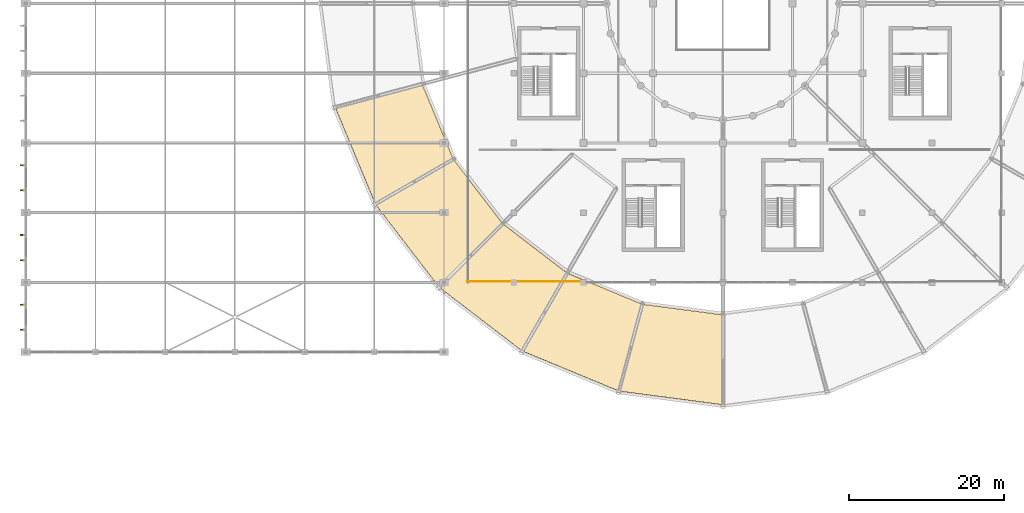
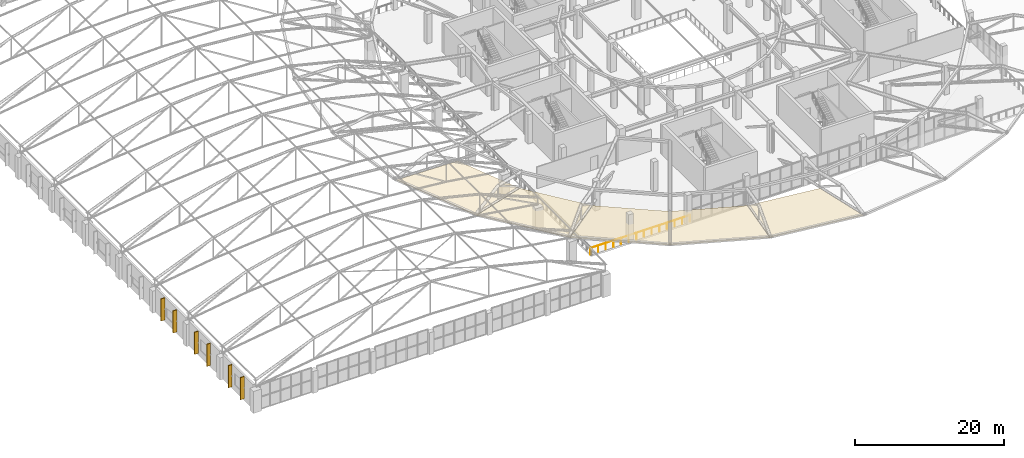
# One storey, part 151 of 167: 6 shading devices, 5 coverings, 1 railing.
"""IFC4 building model written with IfcOpenShell, lengths in metres."""

import ifcopenshell
import ifcopenshell.guid

model = None  # the IFC model being written
_history = None  # IfcOwnerHistory: only IFC2X3 demands one
_inside = {}  # id of a spatial element -> (the spatial element, [elements in it])
_under = {}  # id of a project, library or spatial element -> (it, [spatial elements below it])
_declared = {}  # id of a project -> (the project, [libraries it declares])
_typed = {}  # id of a type object -> (the type object, [elements of that type])
_made_of = {}  # id of a material, layer set ... -> (it, [elements and type objects made of it])


def new_model(schema):
    """Start an empty IFC model of exactly this schema.

    Asked for "IFC4X3", IfcOpenShell would pick the latest addendum, in which some entities
    have other attributes; the version numbers below select the first issue.
    IFC2X3 requires an IfcOwnerHistory on every rooted entity: one is made here for all.
    """
    global model, _history
    if schema == "IFC4X3":
        model = ifcopenshell.file(schema_version=(4, 3, 0, 0))
    else:
        model = ifcopenshell.file(schema=schema)
    _inside.clear()
    _under.clear()
    _declared.clear()
    _typed.clear()
    _made_of.clear()
    _history = None
    if model.schema == "IFC2X3":
        org = make("IfcOrganization", Name="unknown")
        user = make(
            "IfcPersonAndOrganization",
            ThePerson=make("IfcPerson", FamilyName="unknown"),
            TheOrganization=org,
        )
        app = make(
            "IfcApplication",
            ApplicationDeveloper=org,
            Version="unknown",
            ApplicationFullName="unknown",
            ApplicationIdentifier="unknown",
        )
        _history = make(
            "IfcOwnerHistory",
            OwningUser=user,
            OwningApplication=app,
            ChangeAction="ADDED",
            CreationDate=0,
        )
    return model


def make(cls, **values):
    """One entity of the class cls with the attributes given. An attribute that is None is left unset."""
    return model.create_entity(
        cls, **{name: value for name, value in values.items() if value is not None}
    )


def rooted(cls, **values):
    """An entity with a GlobalId (a new one), such as an element, a storey or a relation."""
    return make(cls, GlobalId=ifcopenshell.guid.new(), OwnerHistory=_history, **values)


def si_unit(unit_type, name, prefix=None):
    """IfcSIUnit, for example si_unit("LENGTHUNIT", "METRE", prefix="MILLI")."""
    return make("IfcSIUnit", UnitType=unit_type, Prefix=prefix, Name=name)


def assignment(units):
    """IfcUnitAssignment: the units of a project."""
    return None if units is None else make("IfcUnitAssignment", Units=units)


def point(xyz):
    """IfcCartesianPoint."""
    return None if xyz is None else make("IfcCartesianPoint", Coordinates=xyz)


def direction(xyz):
    """IfcDirection."""
    return None if xyz is None else make("IfcDirection", DirectionRatios=xyz)


def frame(location, z_axis=None, x_axis=None):
    """IfcAxis2Placement3D, a coordinate frame: its origin and axes. An axis left out is left unset."""
    return make(
        "IfcAxis2Placement3D",
        Location=point(location),
        Axis=direction(z_axis),
        RefDirection=direction(x_axis),
    )


def frame_2d(location, x_axis=None):
    """IfcAxis2Placement2D, a coordinate frame in the plane: its origin and x axis."""
    return make(
        "IfcAxis2Placement2D", Location=point(location), RefDirection=direction(x_axis)
    )


def origin():
    """The frame at (0, 0, 0) with its axes left unset."""
    return frame((0.0, 0.0, 0.0))


def origin_2d():
    """The frame at (0, 0) in the plane with its x axis left unset."""
    return frame_2d((0.0, 0.0))


def place(relative_to, where):
    """IfcLocalPlacement: puts the frame where relative to a parent placement (None: the world)."""
    return make(
        "IfcLocalPlacement", PlacementRelTo=relative_to, RelativePlacement=where
    )


def context(
    kind, dimensions, precision=None, world=None, true_north=None, identifier=None
):
    """IfcGeometricRepresentationContext, for example the 3D "Model" context."""
    return make(
        "IfcGeometricRepresentationContext",
        ContextIdentifier=identifier,
        ContextType=kind,
        CoordinateSpaceDimension=dimensions,
        Precision=precision,
        WorldCoordinateSystem=world,
        TrueNorth=true_north,
    )


def subcontext(parent, identifier, kind, view, scale=None):
    """IfcGeometricRepresentationSubContext, for example "Body" below "Model"."""
    return make(
        "IfcGeometricRepresentationSubContext",
        ContextIdentifier=identifier,
        ContextType=kind,
        ParentContext=parent,
        TargetScale=scale,
        TargetView=view,
    )


def project(units=None, contexts=None):
    """IfcProject with its units and contexts."""
    return rooted(
        "IfcProject",
        Name="project",
        RepresentationContexts=contexts,
        UnitsInContext=assignment(units),
    )


def spatial(cls, under=None, at=None, **own):
    """A site, building, storey or space (cls), placed at a placement, below another one or the project."""
    s = rooted(cls, ObjectPlacement=at, **own)
    if under is not None:
        _under.setdefault(under.id(), (under, []))[1].append(s)
    return s


def polyline(points):
    """IfcPolyline through the points."""
    return make("IfcPolyline", Points=[point(p) for p in points])


def profile(cls, at=None, kind="AREA", **sizes):
    """A parametric profile (cls). Its sizes go by their IFC names, for example OverallWidth=200.0."""
    return make(cls, ProfileType=kind, Position=at, **sizes)


def rectangle(**sizes):
    """IfcRectangleProfileDef."""
    return profile("IfcRectangleProfileDef", **sizes)


def circle(**sizes):
    """IfcCircleProfileDef."""
    return profile("IfcCircleProfileDef", **sizes)


def outline(outer, holes=None, kind="AREA"):
    """IfcArbitraryClosedProfileDef: a profile drawn as a closed curve; with holes, ...WithVoids."""
    if holes is None:
        return make("IfcArbitraryClosedProfileDef", ProfileType=kind, OuterCurve=outer)
    return make(
        "IfcArbitraryProfileDefWithVoids",
        ProfileType=kind,
        OuterCurve=outer,
        InnerCurves=holes,
    )


def extrude(swept, where, along, depth):
    """IfcExtrudedAreaSolid: the profile swept, set in the frame where, extruded along a direction by depth."""
    return make(
        "IfcExtrudedAreaSolid",
        SweptArea=swept,
        Position=where,
        ExtrudedDirection=direction(along),
        Depth=depth,
    )


def shape(context_of_items, identifier, shape_type, items):
    """IfcShapeRepresentation: the items that make up one representation, for example the "Body"."""
    return make(
        "IfcShapeRepresentation",
        ContextOfItems=context_of_items,
        RepresentationIdentifier=identifier,
        RepresentationType=shape_type,
        Items=items,
    )


def material(Name=None, Category=None):
    """IfcMaterial."""
    return make("IfcMaterial", Name=Name, Category=Category)


def layer(
    of_material, thickness, ventilated=None, Name=None, Category=None, Priority=None
):
    """IfcMaterialLayer: one layer of a wall or slab, of a material (None: an air gap)."""
    return make(
        "IfcMaterialLayer",
        Material=of_material,
        LayerThickness=thickness,
        IsVentilated=ventilated,
        Name=Name,
        Category=Category,
        Priority=Priority,
    )


def layer_set(layers, Name=None):
    """IfcMaterialLayerSet."""
    return make("IfcMaterialLayerSet", MaterialLayers=layers, LayerSetName=Name)


def made_of(thing, what):
    """Note that an element or type object is made of a material, layer set ...; save() writes the relation."""
    if what is not None:
        _made_of.setdefault(what.id(), (what, []))[1].append(thing)
    return thing


def type_object(cls, material=None, **own):
    """A type object (cls), such as IfcWallType, which elements share."""
    return made_of(rooted(cls, **own), material)


def element(
    cls,
    number,
    at=None,
    inside=None,
    cuts=None,
    type_object=None,
    material=None,
    context=None,
    identifier="Body",
    shape_type=None,
    held_by="IfcProductDefinitionShape",
    body=None,
    shapes=None,
    **own,
):
    """One element of the class cls, such as IfcWall. Its Tag is "e" and its number.

    at: its placement. inside: the storey or other place that contains it. cuts: it is an
    opening in that element (IfcRelVoidsElement). A single representation is given by context,
    identifier, shape_type and body (its items); several are given by shapes. held_by: the class
    of the entity that holds the representations. save() writes the other relations.
    """
    e = rooted(cls, Tag="e%d" % number, ObjectPlacement=at, **own)
    if body is not None:
        shapes = [shape(context, identifier, shape_type, body)]
    if shapes is not None:
        e.Representation = make(held_by, Representations=shapes)
    if inside is not None:
        _inside.setdefault(inside.id(), (inside, []))[1].append(e)
    if cuts is not None:
        rooted(
            "IfcRelVoidsElement", RelatingBuildingElement=cuts, RelatedOpeningElement=e
        )
    if type_object is not None:
        _typed.setdefault(type_object.id(), (type_object, []))[1].append(e)
    return made_of(e, material)


def aggregate(whole, parts):
    """IfcRelAggregates: a whole, such as a stair, and the parts it consists of."""
    return rooted("IfcRelAggregates", RelatingObject=whole, RelatedObjects=parts)


def save(model, path):
    """Write the relations noted so far, then the file.

    IfcRelAggregates (storeys below a building ...), IfcRelContainedInSpatialStructure (elements
    in a storey), IfcRelDefinesByType, IfcRelAssociatesMaterial and IfcRelDeclares: one each for
    every whole, place, type object, material and project.
    """
    for whole, parts in _under.values():
        aggregate(whole, parts)
    for where, things in _inside.values():
        rooted(
            "IfcRelContainedInSpatialStructure",
            RelatedElements=things,
            RelatingStructure=where,
        )
    for kind, things in _typed.values():
        rooted("IfcRelDefinesByType", RelatedObjects=things, RelatingType=kind)
    for what, things in _made_of.values():
        rooted("IfcRelAssociatesMaterial", RelatedObjects=things, RelatingMaterial=what)
    for by, libraries in _declared.values():
        rooted("IfcRelDeclares", RelatingContext=by, RelatedDefinitions=libraries)
    model.write(path)


model = new_model("IFC4")

# Units and contexts
model_context = context("Model", 3, precision=1e-05, world=origin(), true_north=direction((0.0, 1.0)))
body_context = subcontext(model_context, "Body", "Model", "MODEL_VIEW")
ifc_project = project(units=[si_unit("LENGTHUNIT", "METRE"), si_unit("AREAUNIT", "SQUARE_METRE"), si_unit("VOLUMEUNIT", "CUBIC_METRE"), si_unit("PLANEANGLEUNIT", "RADIAN"), si_unit("MASSUNIT", "GRAM", prefix="KILO")], contexts=[model_context])

# Site, building, storey
site_placement = place(None, origin())
site = spatial("IfcSite", under=ifc_project, at=site_placement, CompositionType="ELEMENT")
building_placement = place(site_placement, origin())
building = spatial("IfcBuilding", under=site, at=building_placement, Name="Dornveld Trade and Exhibition Forum", CompositionType="ELEMENT")
storey_placement = place(building_placement, frame((0.0, 0.0, 16.800048828125)))
storey = spatial("IfcBuildingStorey", under=building, at=storey_placement, Name="L03", CompositionType="ELEMENT", Elevation=16.800048828125)

# Coverings
ifc_material_1 = material(Name="Acoustic perforated aluminium soffit panel", Category="aluminium")
ifc_layer_1 = layer(ifc_material_1, 0.044921875)
ifc_layer_set_1 = layer_set([ifc_layer_1], Name="Acoustic perforated aluminium soffit panel")
covering_type = type_object("IfcCoveringType", Name="COV-SOFFIT-DISC", PredefinedType="CEILING", material=ifc_layer_set_1)
covering_1_placement = place(storey_placement, frame((78.169921875, 70.595458984375, 1.9111328125), z_axis=(0.206203115777, 0.085410312961, 0.974774514174), x_axis=(-0.941962421802, -0.25238718951, 0.221376381949)))
element("IfcCovering", 1, at=covering_1_placement, inside=storey, type_object=covering_type, Name="Floating disc conical soffit panel 14", PredefinedType="CEILING", context=body_context, shape_type="SweptSolid", body=[
    extrude(outline(polyline([(0.0, 0.0), (11.895199285569515, -2.3592239273284576e-16), (10.173842295598652, 13.412482319061688), (-1.3357635300827977, 10.408974940773126), (0.0, 0.0)])), origin(), (0.0, 0.0, -1.0), 0.044921875),
])
covering_2_placement = place(storey_placement, frame((82.185791015625, 60.89990234375, 1.9111328125), z_axis=(0.177072359886, 0.135870052813, 0.974774183138), x_axis=(-0.844544884313, -0.487581622675, 0.221377730608)))
element("IfcCovering", 2, at=covering_2_placement, inside=storey, type_object=covering_type, Name="Floating disc conical soffit panel 15", PredefinedType="CEILING", context=body_context, shape_type="SweptSolid", body=[
    extrude(outline(polyline([(0.0, 0.0), (11.895044465416484, 1.3877787807814457e-17), (10.17371507966031, 13.412589790196648), (-1.33586364535027, 10.408865670263626), (0.0, 0.0)])), origin(), (0.0, 0.0, -1.0), 0.044921875),
])
covering_3_placement = place(storey_placement, frame((88.57421875, 52.57421875, 1.9111328125), z_axis=(0.135870052813, 0.177072359886, 0.974774183138), x_axis=(-0.689562157584, -0.68956214752, 0.221377676236)))
element("IfcCovering", 3, at=covering_3_placement, inside=storey, type_object=covering_type, Name="Floating disc conical soffit panel 16", PredefinedType="CEILING", context=body_context, shape_type="SweptSolid", body=[
    extrude(outline(polyline([(0.0, 0.0), (11.895072972280731, -2.7755575615628914e-17), (10.173692747521988, 13.412583265581787), (-1.3358583944717388, 10.408866344154898), (0.0, 0.0)])), origin(), (0.0, 0.0, -1.0), 0.044921875),
])
covering_4_placement = place(storey_placement, frame((96.89990234375, 46.185791015625, 1.9111328125), z_axis=(0.085410312961, 0.206203115777, 0.974774514174), x_axis=(-0.487581702923, -0.844545114921, 0.221376674106)))
element("IfcCovering", 4, at=covering_4_placement, inside=storey, type_object=covering_type, Name="Floating disc conical soffit panel 17", PredefinedType="CEILING", context=body_context, shape_type="SweptSolid", body=[
    extrude(outline(polyline([(0.0, 0.0), (11.895044465406349, 2.7755575615628914e-17), (10.17396227641924, 13.41251758413816), (-1.3357933527418937, 10.408971113645803), (0.0, 0.0)])), origin(), (0.0, 0.0, -1.0), 0.044921875),
])
covering_5_placement = place(storey_placement, frame((106.595458984375, 42.169921875, 1.9111328125), z_axis=(0.029133938647, 0.221280443125, 0.97477493767), x_axis=(-0.252387300846, -0.941962679743, 0.221375157464)))
element("IfcCovering", 5, at=covering_5_placement, inside=storey, type_object=covering_type, Name="Floating disc conical soffit panel 18", PredefinedType="CEILING", context=body_context, shape_type="SweptSolid", body=[
    extrude(outline(polyline([(0.0, 0.0), (11.895199285579976, 9.159339953157541e-16), (10.174201711338686, 13.412475771730909), (-1.335604737328647, 10.408995431644788), (0.0, 0.0)])), origin(), (0.0, 0.0, -1.0), 0.044921875),
])

# Railing
ifc_material_2 = material(Name="Dark-bronze steel and laminated glass balustrade", Category="steel")
railing_type = type_object("IfcRailingType", Name="RL-BALUST-CONC", PredefinedType="BALUSTRADE", material=ifc_material_2)
railing_placement = place(storey_placement, frame((99.37109375, 45.10009765625, 0.0)))
element("IfcRailing", 6, at=railing_placement, inside=storey, type_object=railing_type, Name="L03 deck edge balustrade 197", PredefinedType="BALUSTRADE", context=body_context, shape_type="SweptSolid", body=[
    extrude(circle(Radius=0.02490234375, at=origin_2d()), frame((0.0, 0.0, 1.09521484375), z_axis=(-1.0, 0.0, 0.0), x_axis=(0.0, -1.0, 0.0)), (0.0, 0.0, 1.0), 15.37109375),
    extrude(circle(Radius=0.02099609375, at=origin_2d()), origin(), (0.0, 0.0, 1.0), 1.070068359375),
    extrude(circle(Radius=0.02099609375, at=origin_2d()), frame((-1.182373046875, 0.0, 0.0)), (0.0, 0.0, 1.0), 1.070068359375),
    extrude(circle(Radius=0.02099609375, at=origin_2d()), frame((-2.36474609375, 0.0, 0.0)), (0.0, 0.0, 1.0), 1.070068359375),
    extrude(circle(Radius=0.02099609375, at=origin_2d()), frame((-3.547119140625, 0.0, 0.0)), (0.0, 0.0, 1.0), 1.070068359375),
    extrude(circle(Radius=0.02099609375, at=origin_2d()), frame((-4.7294921875, 0.0, 0.0)), (0.0, 0.0, 1.0), 1.070068359375),
    extrude(circle(Radius=0.02099609375, at=origin_2d()), frame((-5.911865234375, 0.0, 0.0)), (0.0, 0.0, 1.0), 1.070068359375),
    extrude(circle(Radius=0.02099609375, at=origin_2d()), frame((-7.09423828125, 0.0, 0.0)), (0.0, 0.0, 1.0), 1.070068359375),
    extrude(circle(Radius=0.02099609375, at=origin_2d()), frame((-8.27685546875, 0.0, 0.0)), (0.0, 0.0, 1.0), 1.070068359375),
    extrude(circle(Radius=0.02099609375, at=origin_2d()), frame((-9.459228515625, 0.0, 0.0)), (0.0, 0.0, 1.0), 1.070068359375),
    extrude(circle(Radius=0.02099609375, at=origin_2d()), frame((-10.6416015625, 0.0, 0.0)), (0.0, 0.0, 1.0), 1.070068359375),
    extrude(circle(Radius=0.02099609375, at=origin_2d()), frame((-11.823974609375, 0.0, 0.0)), (0.0, 0.0, 1.0), 1.070068359375),
    extrude(circle(Radius=0.02099609375, at=origin_2d()), frame((-13.00634765625, 0.0, 0.0)), (0.0, 0.0, 1.0), 1.070068359375),
    extrude(circle(Radius=0.02099609375, at=origin_2d()), frame((-14.188720703125, 0.0, 0.0)), (0.0, 0.0, 1.0), 1.070068359375),
    extrude(circle(Radius=0.02099609375, at=origin_2d()), frame((-15.37109375, 0.0, 0.0)), (0.0, 0.0, 1.0), 1.070068359375),
])

# Shading devices
ifc_material_3 = material(Name="Precast concrete C50/60", Category="concrete")
ifc_layer_2 = layer(ifc_material_3, 0.139892578125)
ifc_layer_set_2 = layer_set([ifc_layer_2], Name="Precast concrete C50/60")
shading_device_type = type_object("IfcShadingDeviceType", Name="SHD-FIN-600", PredefinedType="JALOUSIE", material=ifc_layer_set_2)
for number, where, z_axis, x_axis, name in (
    (7, (26.554931640625, 42.1201171875, 0.2998046875), (0.0, 0.0, 1.0), (0.0, -1.0, 0.0), "L03 vertical solar brise-soleil fin 25"),
    (8, (26.554931640625, 38.8798828125, 0.2998046875), (0.0, 0.0, 1.0), (0.0, -1.0, 0.0), "L03 vertical solar brise-soleil fin 26"),
    (9, (26.554931640625, 51.1201171875, 0.2998046875), (0.0, 0.0, 1.0), (0.0, -1.0, 0.0), "L03 vertical solar brise-soleil fin 33"),
    (10, (26.554931640625, 47.8798828125, 0.2998046875), (0.0, 0.0, 1.0), (0.0, -1.0, 0.0), "L03 vertical solar brise-soleil fin 34"),
    (11, (26.554931640625, 60.1201171875, 0.2998046875), (0.0, 0.0, 1.0), (0.0, -1.0, 0.0), "L03 vertical solar brise-soleil fin 41"),
    (12, (26.554931640625, 56.8798828125, 0.2998046875), (0.0, 0.0, 1.0), (0.0, -1.0, 0.0), "L03 vertical solar brise-soleil fin 42"),
):
    element("IfcShadingDevice", number, at=place(storey_placement, frame(where, z_axis=z_axis, x_axis=x_axis)), inside=storey, type_object=shading_device_type, Name=name, PredefinedType="JALOUSIE", context=body_context, shape_type="SweptSolid", body=[
        extrude(rectangle(XDim=0.139892578125, YDim=0.60009765625, at=origin_2d()), origin(), (0.0, 0.0, 1.0), 3.6201171875),
    ])

save(model, "model.ifc")
